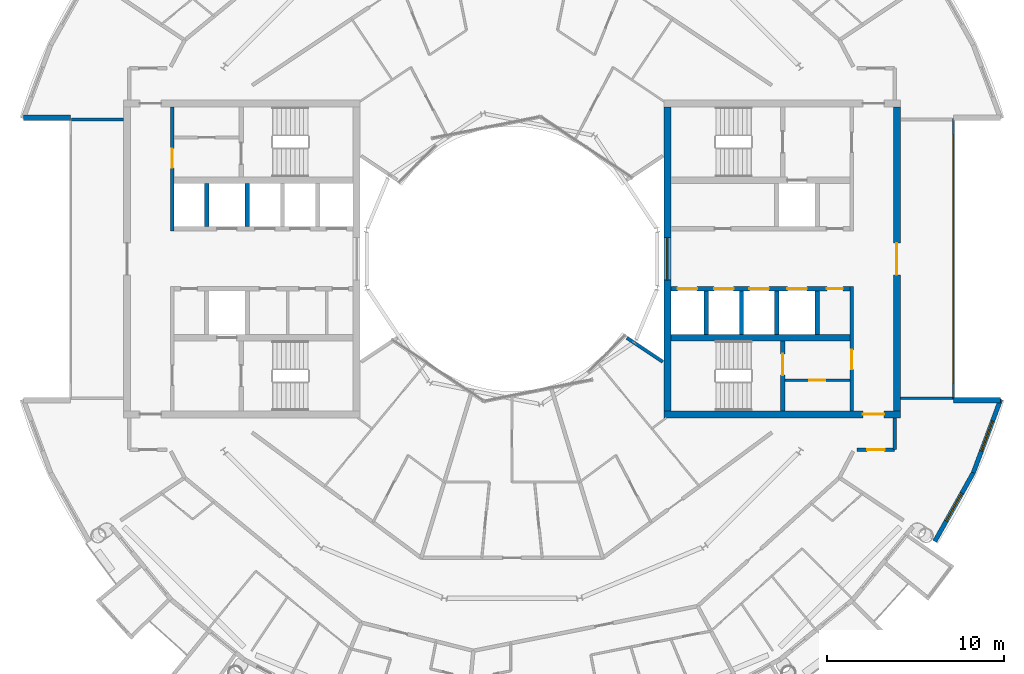
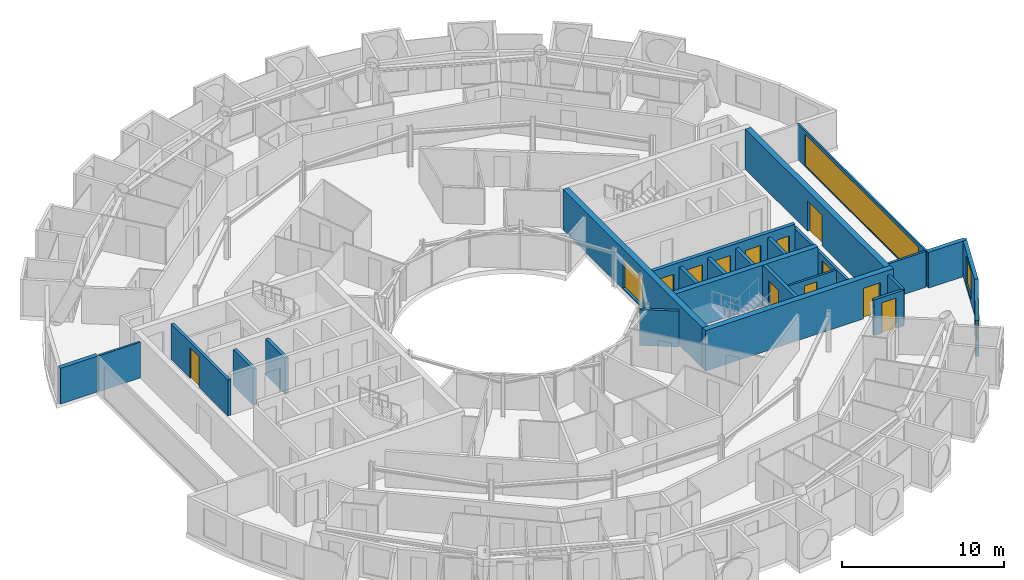
# One storey, part 19 of 28: 25 walls, 12 doors, 4 windows, 16 openings.
"""IFC4 building model written with IfcOpenShell, lengths in metres."""

from ifc_helpers import new_model, si_unit, direction, frame, frame_2d, origin, place, context, subcontext, project, spatial, rectangle, extrude, material, layer, layer_set, type_object, element, fill, save


model = new_model("IFC4")

# Units and contexts
model_context = context("Model", 3, precision=1e-05, world=origin(), true_north=direction((0.0, 1.0)))
body_context = subcontext(model_context, "Body", "Model", "MODEL_VIEW")
ifc_project = project(units=[si_unit("LENGTHUNIT", "METRE"), si_unit("AREAUNIT", "SQUARE_METRE"), si_unit("VOLUMEUNIT", "CUBIC_METRE"), si_unit("PLANEANGLEUNIT", "RADIAN"), si_unit("MASSUNIT", "GRAM", prefix="KILO")], contexts=[model_context])

# Site, building, storey
site_placement = place(None, origin())
site = spatial("IfcSite", under=ifc_project, at=site_placement, CompositionType="ELEMENT")
building_placement = place(site_placement, origin())
building = spatial("IfcBuilding", under=site, at=building_placement, Name="Maasbend Ring Residences", CompositionType="ELEMENT")
storey_placement = place(building_placement, frame((0.0, 0.0, 231.0)))
storey = spatial("IfcBuildingStorey", under=building, at=storey_placement, Name="L66", CompositionType="ELEMENT", Elevation=231.0)

# Wall, openings, doors
ifc_material_1 = material(Name="Concrete C50/60", Category="concrete")
ifc_layer_1 = layer(ifc_material_1, 0.25)
ifc_layer_set_1 = layer_set([ifc_layer_1], Name="Concrete C50/60")
wall_type_1 = type_object("IfcWallType", Name="CORE WALL 250 C50/60", PredefinedType="SHEAR", material=ifc_layer_set_1)
wall_1_placement = place(storey_placement, frame((19.14990234375, -1.699951171875, 0.0), z_axis=(0.0, 0.0, 1.0), x_axis=(-1.0, 0.0, 0.0)))
wall_1 = element("IfcWall", 1, at=wall_1_placement, inside=storey, type_object=wall_type_1, Name="L66 core E wall SPS", PredefinedType="SHEAR", context=body_context, shape_type="SweptSolid", body=[
    extrude(rectangle(XDim=10.14990234375, YDim=0.25, at=frame_2d((5.074951171875, 0.0))), origin(), (0.0, 0.0, 1.0), 3.050048828125),
])
opening_1_placement = place(wall_1_placement, frame((8.66259765625, 0.0, 0.0)))
opening_1 = element("IfcOpeningElement", 2, at=opening_1_placement, cuts=wall_1, Name="Opening LD-E6602", PredefinedType="OPENING", context=body_context, shape_type="SweptSolid", body=[
    extrude(rectangle(XDim=1.10009765625, YDim=2.300048828125, at=frame_2d((0.550048828125, 1.14990234375))), frame((0.0, 0.135009765625, 0.0), z_axis=(0.0, -1.0, 0.0), x_axis=(1.0, 0.0, 0.0)), (0.0, 0.0, 1.0), 0.27001953125),
])
opening_2_placement = place(wall_1_placement, frame((6.60009765625, 0.0, 0.0)))
opening_2 = element("IfcOpeningElement", 3, at=opening_2_placement, cuts=wall_1, Name="Opening LD-E6603", PredefinedType="OPENING", context=body_context, shape_type="SweptSolid", body=[
    extrude(rectangle(XDim=1.10009765625, YDim=2.300048828125, at=frame_2d((0.550048828125, 1.14990234375))), frame((0.0, 0.135009765625, 0.0), z_axis=(0.0, -1.0, 0.0), x_axis=(1.0, 0.0, 0.0)), (0.0, 0.0, 1.0), 0.27001953125),
])
opening_3_placement = place(wall_1_placement, frame((4.60009765625, 0.0, 0.0)))
opening_3 = element("IfcOpeningElement", 4, at=opening_3_placement, cuts=wall_1, Name="Opening LD-E6604", PredefinedType="OPENING", context=body_context, shape_type="SweptSolid", body=[
    extrude(rectangle(XDim=1.10009765625, YDim=2.300048828125, at=frame_2d((0.550048828125, 1.14990234375))), frame((0.0, 0.135009765625, 0.0), z_axis=(0.0, -1.0, 0.0), x_axis=(1.0, 0.0, 0.0)), (0.0, 0.0, 1.0), 0.27001953125),
])
opening_4_placement = place(wall_1_placement, frame((2.449951171875, 0.0, 0.0)))
opening_4 = element("IfcOpeningElement", 5, at=opening_4_placement, cuts=wall_1, Name="Opening LD-E6605", PredefinedType="OPENING", context=body_context, shape_type="SweptSolid", body=[
    extrude(rectangle(XDim=1.10009765625, YDim=2.300048828125, at=frame_2d((0.550048828125, 1.14990234375))), frame((0.0, 0.135009765625, 0.0), z_axis=(0.0, -1.0, 0.0), x_axis=(1.0, 0.0, 0.0)), (0.0, 0.0, 1.0), 0.27001953125),
])
opening_5_placement = place(wall_1_placement, frame((0.41259765625, 0.0, 0.0)))
opening_5 = element("IfcOpeningElement", 6, at=opening_5_placement, cuts=wall_1, Name="Opening D-E6608", PredefinedType="OPENING", context=body_context, shape_type="SweptSolid", body=[
    extrude(rectangle(XDim=0.89990234375, YDim=2.300048828125, at=frame_2d((0.449951171875, 1.14990234375))), frame((0.0, 0.135009765625, 0.0), z_axis=(0.0, -1.0, 0.0), x_axis=(1.0, 0.0, 0.0)), (0.0, 0.0, 1.0), 0.27001953125),
])
ifc_material_2 = material(Name="Stainless steel 316", Category="steel")
door_type_1 = type_object("IfcDoorType", Name="LANDING DOOR 1100 X 2300 FD60", OperationType="DOUBLE_DOOR_SLIDING", PredefinedType="DOOR", material=ifc_material_2)
door_1_placement = place(opening_1_placement, origin())
door_1 = element("IfcDoor", 7, at=door_1_placement, inside=storey, type_object=door_type_1, Name="Landing door HR-E1 L66", OperationType="DOUBLE_DOOR_SLIDING", OverallHeight=2.300048828125, OverallWidth=1.10009765625, PredefinedType="DOOR", context=body_context, shape_type="SweptSolid", body=[
    extrude(rectangle(XDim=1.10009765625, YDim=2.300048828125, at=frame_2d((0.550048828125, 1.14990234375))), frame((0.0, 0.02490234375, 0.0), z_axis=(0.0, -1.0, 0.0), x_axis=(1.0, 0.0, 0.0)), (0.0, 0.0, 1.0), 0.050048828125),
])
fill(opening_1, door_1)
door_2_placement = place(opening_2_placement, origin())
door_2 = element("IfcDoor", 8, at=door_2_placement, inside=storey, type_object=door_type_1, Name="Landing door HR-E2 L66", OperationType="DOUBLE_DOOR_SLIDING", OverallHeight=2.300048828125, OverallWidth=1.10009765625, PredefinedType="DOOR", context=body_context, shape_type="SweptSolid", body=[
    extrude(rectangle(XDim=1.10009765625, YDim=2.300048828125, at=frame_2d((0.550048828125, 1.14990234375))), frame((0.0, 0.02490234375, 0.0), z_axis=(0.0, -1.0, 0.0), x_axis=(1.0, 0.0, 0.0)), (0.0, 0.0, 1.0), 0.050048828125),
])
fill(opening_2, door_2)
door_3_placement = place(opening_3_placement, origin())
door_3 = element("IfcDoor", 9, at=door_3_placement, inside=storey, type_object=door_type_1, Name="Landing door HR-E3 L66", OperationType="DOUBLE_DOOR_SLIDING", OverallHeight=2.300048828125, OverallWidth=1.10009765625, PredefinedType="DOOR", context=body_context, shape_type="SweptSolid", body=[
    extrude(rectangle(XDim=1.10009765625, YDim=2.300048828125, at=frame_2d((0.550048828125, 1.14990234375))), frame((0.0, 0.02490234375, 0.0), z_axis=(0.0, -1.0, 0.0), x_axis=(1.0, 0.0, 0.0)), (0.0, 0.0, 1.0), 0.050048828125),
])
fill(opening_3, door_3)
door_4_placement = place(opening_4_placement, origin())
door_4 = element("IfcDoor", 10, at=door_4_placement, inside=storey, type_object=door_type_1, Name="Landing door SV-E L66", OperationType="DOUBLE_DOOR_SLIDING", OverallHeight=2.300048828125, OverallWidth=1.10009765625, PredefinedType="DOOR", context=body_context, shape_type="SweptSolid", body=[
    extrude(rectangle(XDim=1.10009765625, YDim=2.300048828125, at=frame_2d((0.550048828125, 1.14990234375))), frame((0.0, 0.02490234375, 0.0), z_axis=(0.0, -1.0, 0.0), x_axis=(1.0, 0.0, 0.0)), (0.0, 0.0, 1.0), 0.050048828125),
])
fill(opening_4, door_4)
ifc_material_3 = material(Name="Steel, powder coated", Category="steel")
door_type_2 = type_object("IfcDoorType", Name="ROOM DOOR 900 X 2300 FD30S", OperationType="NOTDEFINED", PredefinedType="DOOR", material=ifc_material_3)
door_5_placement = place(opening_5_placement, origin())
door_5 = element("IfcDoor", 11, at=door_5_placement, inside=storey, type_object=door_type_2, Name="Room door L66", OperationType="SINGLE_SWING_RIGHT", OverallHeight=2.300048828125, OverallWidth=0.89990234375, PredefinedType="DOOR", context=body_context, shape_type="SweptSolid", body=[
    extrude(rectangle(XDim=0.89990234375, YDim=2.300048828125, at=frame_2d((0.449951171875, 1.14990234375))), frame((0.0, 0.02490234375, 0.0), z_axis=(0.0, -1.0, 0.0), x_axis=(1.0, 0.0, 0.0)), (0.0, 0.0, 1.0), 0.050048828125),
])
fill(opening_5, door_5)

# Wall, opening, door
wall_2_placement = place(storey_placement, frame((15.324951171875, -8.60009765625, 0.0), z_axis=(0.0, 0.0, 1.0), x_axis=(0.0, 1.0, 0.0)))
wall_2 = element("IfcWall", 12, at=wall_2_placement, inside=storey, type_object=wall_type_1, Name="L66 core E wall STES", PredefinedType="SHEAR", context=body_context, shape_type="SweptSolid", body=[
    extrude(rectangle(XDim=3.9501953125, YDim=0.25, at=frame_2d((1.97509765625, 0.0))), origin(), (0.0, 0.0, 1.0), 3.050048828125),
])
opening_6_placement = place(wall_2_placement, frame((2.02490234375, 0.0, 0.0)))
opening_6 = element("IfcOpeningElement", 13, at=opening_6_placement, cuts=wall_2, Name="Opening D-E6611", PredefinedType="OPENING", context=body_context, shape_type="SweptSolid", body=[
    extrude(rectangle(XDim=1.199951171875, YDim=2.300048828125, at=frame_2d((0.60009765625, 1.14990234375))), frame((0.0, 0.135009765625, 0.0), z_axis=(0.0, -1.0, 0.0), x_axis=(1.0, 0.0, 0.0)), (0.0, 0.0, 1.0), 0.27001953125),
])
ifc_material_4 = material(Name="Steel, powder coated", Category="steel")
door_type_3 = type_object("IfcDoorType", Name="STAIR DOOR 1200 X 2300 FD60", OperationType="NOTDEFINED", PredefinedType="DOOR", material=ifc_material_4)
door_6_placement = place(opening_6_placement, origin())
door_6 = element("IfcDoor", 14, at=door_6_placement, inside=storey, type_object=door_type_3, Name="Stair door ST-E L66", OperationType="SINGLE_SWING_LEFT", OverallHeight=2.300048828125, OverallWidth=1.199951171875, PredefinedType="DOOR", context=body_context, shape_type="SweptSolid", body=[
    extrude(rectangle(XDim=1.199951171875, YDim=2.300048828125, at=frame_2d((0.60009765625, 1.14990234375))), frame((0.0, 0.02490234375, 0.0), z_axis=(0.0, -1.0, 0.0), x_axis=(1.0, 0.0, 0.0)), (0.0, 0.0, 1.0), 0.050048828125),
])
fill(opening_6, door_6)

# Wall
ifc_material_5 = material(Name="Concrete C50/60", Category="concrete")
ifc_layer_2 = layer(ifc_material_5, 0.375)
ifc_layer_set_2 = layer_set([ifc_layer_2], Name="Concrete C50/60")
wall_type_2 = type_object("IfcWallType", Name="CORE WALL 375 C50/60", PredefinedType="SHEAR", material=ifc_layer_set_2)
wall_3_placement = place(storey_placement, frame((9.0, -4.46240234375, 0.0), z_axis=(0.0, 0.0, 1.0), x_axis=(1.0, 0.0, 0.0)))
element("IfcWall", 15, at=wall_3_placement, inside=storey, type_object=wall_type_2, Name="L66 core E wall BS", PredefinedType="SHEAR", context=body_context, shape_type="SweptSolid", body=[
    extrude(rectangle(XDim=10.14990234375, YDim=0.375, at=frame_2d((5.074951171875, 0.0))), origin(), (0.0, 0.0, 1.0), 3.050048828125),
])

# Wall, opening, door
ifc_material_6 = material(Name="Concrete C50/60", Category="concrete")
ifc_layer_3 = layer(ifc_material_6, 0.39990234375)
ifc_layer_set_3 = layer_set([ifc_layer_3], Name="Concrete C50/60")
wall_type_3 = type_object("IfcWallType", Name="CORE WALL 400 C50/60", PredefinedType="SHEAR", material=ifc_layer_set_3)
wall_4_placement = place(storey_placement, frame((8.60009765625, -8.800048828125, 0.0), z_axis=(0.0, 0.0, 1.0), x_axis=(1.0, 0.0, 0.0)))
wall_4 = element("IfcWall", 16, at=wall_4_placement, inside=storey, type_object=wall_type_3, Name="L66 core E wall PS", PredefinedType="SHEAR", context=body_context, shape_type="SweptSolid", body=[
    extrude(rectangle(XDim=13.39990234375, YDim=0.39990234375, at=frame_2d((6.699951171875, 0.0))), origin(), (0.0, 0.0, 1.0), 3.050048828125),
])
opening_7_placement = place(wall_4_placement, frame((11.27490234375, 0.0, 0.0)))
opening_7 = element("IfcOpeningElement", 17, at=opening_7_placement, cuts=wall_4, Name="Opening D-E6615", PredefinedType="OPENING", context=body_context, shape_type="SweptSolid", body=[
    extrude(rectangle(XDim=1.199951171875, YDim=2.300048828125, at=frame_2d((0.60009765625, 1.14990234375))), frame((0.0, 0.2099609375, 0.0), z_axis=(0.0, -1.0, 0.0), x_axis=(1.0, 0.0, 0.0)), (0.0, 0.0, 1.0), 0.419921875),
])
ifc_material_7 = material(Name="Steel, powder coated", Category="steel")
door_type_4 = type_object("IfcDoorType", Name="CORRIDOR DOOR 1200 X 2300 FD30S", OperationType="NOTDEFINED", PredefinedType="DOOR", material=ifc_material_7)
door_7_placement = place(opening_7_placement, origin())
door_7 = element("IfcDoor", 18, at=door_7_placement, inside=storey, type_object=door_type_4, Name="Corridor door L66", OperationType="SINGLE_SWING_LEFT", OverallHeight=2.300048828125, OverallWidth=1.199951171875, PredefinedType="DOOR", context=body_context, shape_type="SweptSolid", body=[
    extrude(rectangle(XDim=1.199951171875, YDim=2.300048828125, at=frame_2d((0.60009765625, 1.14990234375))), frame((0.0, 0.02490234375, 0.0), z_axis=(0.0, -1.0, 0.0), x_axis=(1.0, 0.0, 0.0)), (0.0, 0.0, 1.0), 0.050048828125),
])
fill(opening_7, door_7)

wall_5_placement = place(storey_placement, frame((21.800048828125, 8.60009765625, 0.0), z_axis=(0.0, 0.0, 1.0), x_axis=(0.0, -1.0, 0.0)))
wall_5 = element("IfcWall", 19, at=wall_5_placement, inside=storey, type_object=wall_type_3, Name="L66 core E wall POUT", PredefinedType="SHEAR", context=body_context, shape_type="SweptSolid", body=[
    extrude(rectangle(XDim=17.2001953125, YDim=0.39990234375, at=frame_2d((8.60009765625, 0.0))), origin(), (0.0, 0.0, 1.0), 3.050048828125),
])
opening_8_placement = place(wall_5_placement, frame((7.699951171875, 0.0, 0.0)))
opening_8 = element("IfcOpeningElement", 20, at=opening_8_placement, cuts=wall_5, Name="Opening D-E6616", PredefinedType="OPENING", context=body_context, shape_type="SweptSolid", body=[
    extrude(rectangle(XDim=1.800048828125, YDim=2.300048828125, at=frame_2d((0.89990234375, 1.14990234375))), frame((0.0, 0.2099609375, 0.0), z_axis=(0.0, -1.0, 0.0), x_axis=(1.0, 0.0, 0.0)), (0.0, 0.0, 1.0), 0.419921875),
])
ifc_material_8 = material(Name="Aluminium frame, clear glass", Category="aluminium")
door_type_5 = type_object("IfcDoorType", Name="ENTRANCE DOOR 1800 X 2300 FD60", OperationType="NOTDEFINED", PredefinedType="DOOR", material=ifc_material_8)
door_8_placement = place(opening_8_placement, origin())
door_8 = element("IfcDoor", 21, at=door_8_placement, inside=storey, type_object=door_type_5, Name="Lobby glazed door L66", OperationType="SINGLE_SWING_LEFT", OverallHeight=2.300048828125, OverallWidth=1.800048828125, PredefinedType="DOOR", context=body_context, shape_type="SweptSolid", body=[
    extrude(rectangle(XDim=1.800048828125, YDim=2.300048828125, at=frame_2d((0.89990234375, 1.14990234375))), frame((0.0, 0.02490234375, 0.0), z_axis=(0.0, -1.0, 0.0), x_axis=(1.0, 0.0, 0.0)), (0.0, 0.0, 1.0), 0.050048828125),
])
fill(opening_8, door_8)

# Wall, opening, window
wall_6_placement = place(storey_placement, frame((8.800048828125, -8.60009765625, 0.0), z_axis=(0.0, 0.0, 1.0), x_axis=(0.0, 1.0, 0.0)))
wall_6 = element("IfcWall", 22, at=wall_6_placement, inside=storey, type_object=wall_type_3, Name="L66 core E wall PIN", PredefinedType="SHEAR", context=body_context, shape_type="SweptSolid", body=[
    extrude(rectangle(XDim=17.2001953125, YDim=0.39990234375, at=frame_2d((8.60009765625, 0.0))), origin(), (0.0, 0.0, 1.0), 3.050048828125),
])
opening_9_placement = place(wall_6_placement, frame((7.39990234375, 0.0, 0.10009765625)))
opening_9 = element("IfcOpeningElement", 23, at=opening_9_placement, cuts=wall_6, Name="Opening W-E6601", PredefinedType="OPENING", context=body_context, shape_type="SweptSolid", body=[
    extrude(rectangle(XDim=2.39990234375, YDim=2.199951171875, at=frame_2d((1.199951171875, 1.10009765625))), frame((0.0, 0.2099609375, 0.0), z_axis=(0.0, -1.0, 0.0), x_axis=(1.0, 0.0, 0.0)), (0.0, 0.0, 1.0), 0.419921875),
])
ifc_material_9 = material(Name="Aluminium frame and clear glass", Category="aluminium")
window_type_1 = type_object("IfcWindowType", Name="FIXED WINDOW 2400 X 2200", PartitioningType="SINGLE_PANEL", PredefinedType="WINDOW", material=ifc_material_9)
window_1_placement = place(opening_9_placement, origin())
window_1 = element("IfcWindow", 24, at=window_1_placement, inside=storey, type_object=window_type_1, Name="Lobby window L66", OverallHeight=2.199951171875, OverallWidth=2.39990234375, PartitioningType="SINGLE_PANEL", PredefinedType="WINDOW", context=body_context, shape_type="SweptSolid", body=[
    extrude(rectangle(XDim=2.39990234375, YDim=2.199951171875, at=frame_2d((1.199951171875, 1.10009765625))), frame((0.0, 0.030029296875, 0.0), z_axis=(0.0, -1.0, 0.0), x_axis=(1.0, 0.0, 0.0)), (0.0, 0.0, 1.0), 0.06005859375),
])
fill(opening_9, window_1)

# Wall
ifc_material_10 = material(Name="Concrete C30/37", Category="concrete")
ifc_layer_4 = layer(ifc_material_10, 0.199951171875)
ifc_layer_set_4 = layer_set([ifc_layer_4], Name="Concrete C30/37")
wall_type_4 = type_object("IfcWallType", Name="CORRIDOR WALL 200 CONCRETE", PredefinedType="PARTITIONING", material=ifc_layer_set_4)
wall_7_placement = place(storey_placement, frame((21.675048828125, -10.800048828125, 0.0), z_axis=(0.0, 0.0, 1.0), x_axis=(0.0, 1.0, 0.0)))
element("IfcWall", 25, at=wall_7_placement, inside=storey, type_object=wall_type_4, Name="U-L66-w012", PredefinedType="PARTITIONING", context=body_context, shape_type="SweptSolid", body=[
    extrude(rectangle(XDim=1.800048828125, YDim=0.199951171875, at=frame_2d((0.89990234375, 0.0))), origin(), (0.0, 0.0, 1.0), 2.699951171875),
])

# Wall, opening, door
wall_8_placement = place(storey_placement, frame((19.54296875, -10.800048828125, 0.0), z_axis=(0.0, 0.0, 1.0), x_axis=(1.0, 0.0, 0.0)))
wall_8 = element("IfcWall", 26, at=wall_8_placement, inside=storey, type_object=wall_type_4, Name="U-L66-w027", PredefinedType="PARTITIONING", context=body_context, shape_type="SweptSolid", body=[
    extrude(rectangle(XDim=2.132080078125, YDim=0.199951171875, at=frame_2d((1.06591796875, 0.0))), origin(), (0.0, 0.0, 1.0), 2.699951171875),
])
opening_10_placement = place(wall_8_placement, frame((0.56591796875, 0.0, 0.0)))
opening_10 = element("IfcOpeningElement", 27, at=opening_10_placement, cuts=wall_8, Name="Opening D-6659", PredefinedType="OPENING", context=body_context, shape_type="SweptSolid", body=[
    extrude(rectangle(XDim=1.0, YDim=2.300048828125, at=frame_2d((0.5, 1.14990234375))), frame((0.0, 0.10986328125, 0.0), z_axis=(0.0, -1.0, 0.0), x_axis=(1.0, 0.0, 0.0)), (0.0, 0.0, 1.0), 0.219970703125),
])
ifc_material_11 = material(Name="Timber, painted", Category="wood")
door_type_6 = type_object("IfcDoorType", Name="ROOM DOOR 1000 X 2300", OperationType="NOTDEFINED", PredefinedType="DOOR", material=ifc_material_11)
door_9_placement = place(opening_10_placement, origin())
door_9 = element("IfcDoor", 28, at=door_9_placement, inside=storey, type_object=door_type_6, Name="D-6659", OperationType="SINGLE_SWING_RIGHT", OverallHeight=2.300048828125, OverallWidth=1.0, PredefinedType="DOOR", context=body_context, shape_type="SweptSolid", body=[
    extrude(rectangle(XDim=1.0, YDim=2.300048828125, at=frame_2d((0.5, 1.14990234375))), frame((0.0, 0.02490234375, 0.0), z_axis=(0.0, -1.0, 0.0), x_axis=(1.0, 0.0, 0.0)), (0.0, 0.0, 1.0), 0.050048828125),
])
fill(opening_10, door_9)

# Wall, opening, window
ifc_material_12 = material(Name="Aluminium clad insulated panel", Category="aluminium")
ifc_layer_5 = layer(ifc_material_12, 0.25)
ifc_layer_set_5 = layer_set([ifc_layer_5], Name="EW-HORN")
wall_type_5 = type_object("IfcWallType", Name="EW-HORN", PredefinedType="SOLIDWALL", material=ifc_layer_set_5)
wall_9_placement = place(storey_placement, frame((23.946044921875, -16.0, 0.0), z_axis=(0.0, 0.0, 1.0), x_axis=(0.489696356642, 0.871893042919, 0.0)))
wall_9 = element("IfcWall", 29, at=wall_9_placement, inside=storey, type_object=wall_type_5, Name="Horn wall 2.1", PredefinedType="SOLIDWALL", context=body_context, shape_type="SweptSolid", body=[
    extrude(rectangle(XDim=4.45361328125, YDim=0.25, at=frame_2d((2.226806640625, 0.0))), origin(), (0.0, 0.0, 1.0), 2.699951171875),
])
opening_11_placement = place(wall_9_placement, frame((1.32666015625, 0.0, 0.300048828125)))
opening_11 = element("IfcOpeningElement", 30, at=opening_11_placement, cuts=wall_9, Name="Opening W-BX", PredefinedType="OPENING", context=body_context, shape_type="SweptSolid", body=[
    extrude(rectangle(XDim=1.800048828125, YDim=2.10009765625, at=frame_2d((0.89990234375, 1.050048828125))), frame((0.0, 0.135009765625, 0.0), z_axis=(0.0, -1.0, 0.0), x_axis=(1.0, 0.0, 0.0)), (0.0, 0.0, 1.0), 0.27001953125),
])
ifc_material_13 = material(Name="Aluminium and clear glass", Category="aluminium")
window_type_2 = type_object("IfcWindowType", Name="W-BX", PartitioningType="DOUBLE_PANEL_VERTICAL", PredefinedType="WINDOW", material=ifc_material_13)
window_2_placement = place(opening_11_placement, origin())
window_2 = element("IfcWindow", 31, at=window_2_placement, inside=storey, type_object=window_type_2, Name="Horn window 2.1", OverallHeight=2.10009765625, OverallWidth=1.800048828125, PartitioningType="SINGLE_PANEL", PredefinedType="WINDOW", context=body_context, shape_type="SweptSolid", body=[
    extrude(rectangle(XDim=1.800048828125, YDim=2.10009765625, at=frame_2d((0.89990234375, 1.050048828125))), frame((0.0, 0.030029296875, 0.0), z_axis=(0.0, -1.0, 0.0), x_axis=(1.0, 0.0, 0.0)), (0.0, 0.0, 1.0), 0.06005859375),
])
fill(opening_11, window_2)

wall_10_placement = place(storey_placement, frame((26.126953125, -12.116943359375, 0.0), z_axis=(0.0, 0.0, 1.0), x_axis=(0.349247811493, 0.937030397675, 0.0)))
wall_10 = element("IfcWall", 32, at=wall_10_placement, inside=storey, type_object=wall_type_5, Name="Horn wall 2.2", PredefinedType="SOLIDWALL", context=body_context, shape_type="SweptSolid", body=[
    extrude(rectangle(XDim=4.4521484375, YDim=0.25, at=frame_2d((2.22607421875, 0.0))), origin(), (0.0, 0.0, 1.0), 2.699951171875),
])
opening_12_placement = place(wall_10_placement, frame((1.32666015625, 0.0, 0.300048828125)))
opening_12 = element("IfcOpeningElement", 33, at=opening_12_placement, cuts=wall_10, Name="Opening W-BX", PredefinedType="OPENING", context=body_context, shape_type="SweptSolid", body=[
    extrude(rectangle(XDim=1.800048828125, YDim=2.10009765625, at=frame_2d((0.89990234375, 1.050048828125))), frame((0.0, 0.135009765625, 0.0), z_axis=(0.0, -1.0, 0.0), x_axis=(1.0, 0.0, 0.0)), (0.0, 0.0, 1.0), 0.27001953125),
])
window_3_placement = place(opening_12_placement, origin())
window_3 = element("IfcWindow", 34, at=window_3_placement, inside=storey, type_object=window_type_2, Name="Horn window 2.2", OverallHeight=2.10009765625, OverallWidth=1.800048828125, PartitioningType="SINGLE_PANEL", PredefinedType="WINDOW", context=body_context, shape_type="SweptSolid", body=[
    extrude(rectangle(XDim=1.800048828125, YDim=2.10009765625, at=frame_2d((0.89990234375, 1.050048828125))), frame((0.0, 0.030029296875, 0.0), z_axis=(0.0, -1.0, 0.0), x_axis=(1.0, 0.0, 0.0)), (0.0, 0.0, 1.0), 0.06005859375),
])
fill(opening_12, window_3)

# Walls
ifc_material_14 = material(Name="Aluminium clad insulated panel", Category="aluminium")
ifc_layer_6 = layer(ifc_material_14, 0.300048828125)
ifc_layer_set_6 = layer_set([ifc_layer_6], Name="EW-RET")
wall_type_6 = type_object("IfcWallType", Name="EW-RET", PredefinedType="SOLIDWALL", material=ifc_layer_set_6)
for number, where, z_axis, x_axis, name in (
    (35, (25.0, -8.0, 0.0), (0.0, 0.0, 1.0), (1.0, 0.0, 0.0), "Notch return wall east south"),
    (36, (-25.0, 8.0, 0.0), (0.0, 0.0, 1.0), (-1.0, 0.0, 0.0), "Notch return wall west north"),
):
    element("IfcWall", number, at=place(storey_placement, frame(where, z_axis=z_axis, x_axis=x_axis)), inside=storey, type_object=wall_type_6, Name=name, PredefinedType="SOLIDWALL", context=body_context, shape_type="SweptSolid", body=[
        extrude(rectangle(XDim=2.6669921875, YDim=0.300048828125, at=frame_2d((1.33349609375, 0.0))), origin(), (0.0, 0.0, 1.0), 2.699951171875),
    ])

# Wall, opening, window
ifc_material_15 = material(Name="Aluminium frame and clear glass", Category="aluminium")
ifc_layer_7 = layer(ifc_material_15, 0.1201171875)
ifc_layer_set_7 = layer_set([ifc_layer_7], Name="GLAZED SCREEN WALL 120 EI 60")
wall_type_7 = type_object("IfcWallType", Name="GLAZED SCREEN WALL 120 EI 60", PredefinedType="PARTITIONING", material=ifc_layer_set_7)
wall_11_placement = place(storey_placement, frame((25.0, -7.949951171875, 0.0), z_axis=(0.0, 0.0, 1.0), x_axis=(0.0, 1.0, 0.0)))
wall_11 = element("IfcWall", 37, at=wall_11_placement, inside=storey, type_object=wall_type_7, Name="L66 core E wall FACE", PredefinedType="PARTITIONING", context=body_context, shape_type="SweptSolid", body=[
    extrude(rectangle(XDim=15.89990234375, YDim=0.1201171875, at=frame_2d((7.949951171875, 0.0))), origin(), (0.0, 0.0, 1.0), 2.699951171875),
])
opening_13_placement = place(wall_11_placement, frame((0.949951171875, 0.0, 0.10009765625)))
opening_13 = element("IfcOpeningElement", 38, at=opening_13_placement, cuts=wall_11, Name="Opening W-E6602", PredefinedType="OPENING", context=body_context, shape_type="SweptSolid", body=[
    extrude(rectangle(XDim=14.0, YDim=2.35009765625, at=frame_2d((7.0, 1.175048828125))), frame((0.0, 0.070068359375, 0.0), z_axis=(0.0, -1.0, 0.0), x_axis=(1.0, 0.0, 0.0)), (0.0, 0.0, 1.0), 0.14013671875),
])
ifc_material_16 = material(Name="Aluminium frame and clear glass", Category="aluminium")
window_type_3 = type_object("IfcWindowType", Name="FIXED WINDOW 14000 X 2350", PartitioningType="SINGLE_PANEL", PredefinedType="WINDOW", material=ifc_material_16)
window_4_placement = place(opening_13_placement, origin())
window_4 = element("IfcWindow", 39, at=window_4_placement, inside=storey, type_object=window_type_3, Name="Lobby window L66", OverallHeight=2.35009765625, OverallWidth=14.0, PartitioningType="SINGLE_PANEL", PredefinedType="WINDOW", context=body_context, shape_type="SweptSolid", body=[
    extrude(rectangle(XDim=14.0, YDim=2.35009765625, at=frame_2d((7.0, 1.175048828125))), frame((0.0, 0.030029296875, 0.0), z_axis=(0.0, -1.0, 0.0), x_axis=(1.0, 0.0, 0.0)), (0.0, 0.0, 1.0), 0.06005859375),
])
fill(opening_13, window_4)

# Wall, opening, door
ifc_material_17 = material(Name="Gypsum board on steel studs", Category="steel")
ifc_layer_8 = layer(ifc_material_17, 0.14990234375)
ifc_layer_set_8 = layer_set([ifc_layer_8], Name="PARTITION 150 EI 60")
wall_type_8 = type_object("IfcWallType", Name="PARTITION 150 EI 60", PredefinedType="PARTITIONING", material=ifc_layer_set_8)
wall_12_placement = place(storey_placement, frame((15.449951171875, -6.875, 0.0), z_axis=(0.0, 0.0, 1.0), x_axis=(1.0, 0.0, 0.0)))
wall_12 = element("IfcWall", 40, at=wall_12_placement, inside=storey, type_object=wall_type_8, Name="L66 core E wall RHS", PredefinedType="PARTITIONING", context=body_context, shape_type="SweptSolid", body=[
    extrude(rectangle(XDim=3.699951171875, YDim=0.14990234375, at=frame_2d((1.85009765625, 0.0))), origin(), (0.0, 0.0, 1.0), 2.699951171875),
])
opening_14_placement = place(wall_12_placement, frame((1.39990234375, 0.0, 0.0)))
opening_14 = element("IfcOpeningElement", 41, at=opening_14_placement, cuts=wall_12, Name="Opening D-E6609", PredefinedType="OPENING", context=body_context, shape_type="SweptSolid", body=[
    extrude(rectangle(XDim=0.89990234375, YDim=2.300048828125, at=frame_2d((0.449951171875, 1.14990234375))), frame((0.0, 0.0849609375, 0.0), z_axis=(0.0, -1.0, 0.0), x_axis=(1.0, 0.0, 0.0)), (0.0, 0.0, 1.0), 0.169921875),
])
ifc_material_18 = material(Name="Steel, powder coated", Category="steel")
door_type_7 = type_object("IfcDoorType", Name="RISER DOOR 900 X 2300 FD60", OperationType="NOTDEFINED", PredefinedType="DOOR", material=ifc_material_18)
door_10_placement = place(opening_14_placement, origin())
door_10 = element("IfcDoor", 42, at=door_10_placement, inside=storey, type_object=door_type_7, Name="Riser door L66", OperationType="SINGLE_SWING_LEFT", OverallHeight=2.300048828125, OverallWidth=0.89990234375, PredefinedType="DOOR", context=body_context, shape_type="SweptSolid", body=[
    extrude(rectangle(XDim=0.89990234375, YDim=2.300048828125, at=frame_2d((0.449951171875, 1.14990234375))), frame((0.0, 0.02490234375, 0.0), z_axis=(0.0, -1.0, 0.0), x_axis=(1.0, 0.0, 0.0)), (0.0, 0.0, 1.0), 0.050048828125),
])
fill(opening_14, door_10)

# Walls
for number, where, z_axis, x_axis, name in (
    (43, (22.0, -7.89990234375, 0.0), (0.0, 0.0, 1.0), (1.0, 0.0, 0.0), "L66 core E wall CITS"),
    (44, (-22.0, 7.89990234375, 0.0), (0.0, 0.0, 1.0), (-1.0, 0.0, 0.0), "L66 core W wall CITS"),
):
    element("IfcWall", number, at=place(storey_placement, frame(where, z_axis=z_axis, x_axis=x_axis)), inside=storey, type_object=wall_type_8, Name=name, PredefinedType="PARTITIONING", context=body_context, shape_type="SweptSolid", body=[
        extrude(rectangle(XDim=2.93994140625, YDim=0.14990234375, at=frame_2d((1.469970703125, 0.0))), origin(), (0.0, 0.0, 1.0), 2.699951171875),
    ])
ifc_material_19 = material(Name="Concrete C30/37", Category="concrete")
ifc_layer_9 = layer(ifc_material_19, 0.199951171875)
ifc_layer_set_9 = layer_set([ifc_layer_9], Name="Concrete C30/37")
wall_type_9 = type_object("IfcWallType", Name="PARTY WALL 200 CONCRETE", PredefinedType="PARTITIONING", material=ifc_layer_set_9)
wall_13_placement = place(storey_placement, frame((6.512939453125, -4.471923828125, 0.0), z_axis=(0.0, 0.0, 1.0), x_axis=(0.831450132577, -0.555599385382, 0.0)))
element("IfcWall", 45, at=wall_13_placement, inside=storey, type_object=wall_type_9, Name="U-L66-w029", PredefinedType="PARTITIONING", context=body_context, shape_type="SweptSolid", body=[
    extrude(rectangle(XDim=2.442626953125, YDim=0.199951171875, at=frame_2d((1.22119140625, 0.0))), origin(), (0.0, 0.0, 1.0), 2.699951171875),
])

# Wall, opening, door
ifc_material_20 = material(Name="Concrete C30/37", Category="concrete")
ifc_layer_10 = layer(ifc_material_20, 0.199951171875)
ifc_layer_set_10 = layer_set([ifc_layer_10], Name="Concrete C30/37")
wall_type_10 = type_object("IfcWallType", Name="SHAFT WALL 200 EI 120", PredefinedType="SOLIDWALL", material=ifc_layer_set_10)
wall_14_placement = place(storey_placement, frame((19.25, -8.60009765625, 0.0), z_axis=(0.0, 0.0, 1.0), x_axis=(0.0, 1.0, 0.0)))
wall_14 = element("IfcWall", 46, at=wall_14_placement, inside=storey, type_object=wall_type_10, Name="L66 core E wall ENDS", PredefinedType="SOLIDWALL", context=body_context, shape_type="SweptSolid", body=[
    extrude(rectangle(XDim=7.025146484375, YDim=0.199951171875, at=frame_2d((3.5126953125, 0.0))), origin(), (0.0, 0.0, 1.0), 2.699951171875),
])
opening_15_placement = place(wall_14_placement, frame((2.35009765625, 0.0, 0.0)))
opening_15 = element("IfcOpeningElement", 47, at=opening_15_placement, cuts=wall_14, Name="Opening D-E6613", PredefinedType="OPENING", context=body_context, shape_type="SweptSolid", body=[
    extrude(rectangle(XDim=1.10009765625, YDim=2.300048828125, at=frame_2d((0.550048828125, 1.14990234375))), frame((0.0, 0.10986328125, 0.0), z_axis=(0.0, -1.0, 0.0), x_axis=(1.0, 0.0, 0.0)), (0.0, 0.0, 1.0), 0.219970703125),
])
ifc_material_21 = material(Name="Steel, powder coated", Category="steel")
door_type_8 = type_object("IfcDoorType", Name="LOBBY DOOR 1100 X 2300 FD60", OperationType="NOTDEFINED", PredefinedType="DOOR", material=ifc_material_21)
door_11_placement = place(opening_15_placement, origin())
door_11 = element("IfcDoor", 48, at=door_11_placement, inside=storey, type_object=door_type_8, Name="Lobby door L66", OperationType="SINGLE_SWING_RIGHT", OverallHeight=2.300048828125, OverallWidth=1.10009765625, PredefinedType="DOOR", context=body_context, shape_type="SweptSolid", body=[
    extrude(rectangle(XDim=1.10009765625, YDim=2.300048828125, at=frame_2d((0.550048828125, 1.14990234375))), frame((0.0, 0.02490234375, 0.0), z_axis=(0.0, -1.0, 0.0), x_axis=(1.0, 0.0, 0.0)), (0.0, 0.0, 1.0), 0.050048828125),
])
fill(opening_15, door_11)

wall_15_placement = place(storey_placement, frame((-19.25, 8.60009765625, 0.0), z_axis=(0.0, 0.0, 1.0), x_axis=(0.0, -1.0, 0.0)))
wall_15 = element("IfcWall", 49, at=wall_15_placement, inside=storey, type_object=wall_type_10, Name="L66 core W wall ENDS", PredefinedType="SOLIDWALL", context=body_context, shape_type="SweptSolid", body=[
    extrude(rectangle(XDim=7.025146484375, YDim=0.199951171875, at=frame_2d((3.5126953125, 0.0))), origin(), (0.0, 0.0, 1.0), 2.699951171875),
])
opening_16_placement = place(wall_15_placement, frame((2.35009765625, 0.0, 0.0)))
opening_16 = element("IfcOpeningElement", 50, at=opening_16_placement, cuts=wall_15, Name="Opening D-W6614", PredefinedType="OPENING", context=body_context, shape_type="SweptSolid", body=[
    extrude(rectangle(XDim=1.10009765625, YDim=2.300048828125, at=frame_2d((0.550048828125, 1.14990234375))), frame((0.0, 0.10986328125, 0.0), z_axis=(0.0, -1.0, 0.0), x_axis=(1.0, 0.0, 0.0)), (0.0, 0.0, 1.0), 0.219970703125),
])
door_12_placement = place(opening_16_placement, origin())
door_12 = element("IfcDoor", 51, at=door_12_placement, inside=storey, type_object=door_type_8, Name="Lobby door L66", OperationType="SINGLE_SWING_RIGHT", OverallHeight=2.300048828125, OverallWidth=1.10009765625, PredefinedType="DOOR", context=body_context, shape_type="SweptSolid", body=[
    extrude(rectangle(XDim=1.10009765625, YDim=2.300048828125, at=frame_2d((0.550048828125, 1.14990234375))), frame((0.0, 0.02490234375, 0.0), z_axis=(0.0, -1.0, 0.0), x_axis=(1.0, 0.0, 0.0)), (0.0, 0.0, 1.0), 0.050048828125),
])
fill(opening_16, door_12)

# Walls
ifc_material_22 = material(Name="Concrete C30/37", Category="concrete")
ifc_layer_11 = layer(ifc_material_22, 0.25)
ifc_layer_set_11 = layer_set([ifc_layer_11], Name="Concrete C30/37")
wall_type_11 = type_object("IfcWallType", Name="SHAFT WALL 250 EI 120", PredefinedType="SOLIDWALL", material=ifc_layer_set_11)
for number, where, z_axis, x_axis, name in (
    (52, (15.0, -1.824951171875, 0.0), (0.0, 0.0, 1.0), (0.0, -1.0, 0.0), "L66 core E wall D150S"),
    (53, (17.300048828125, -1.824951171875, 0.0), (0.0, 0.0, 1.0), (0.0, -1.0, 0.0), "L66 core E wall D173S"),
    (54, (11.0, -1.824951171875, 0.0), (0.0, 0.0, 1.0), (0.0, -1.0, 0.0), "L66 core E wall D110S"),
    (55, (13.0, -1.824951171875, 0.0), (0.0, 0.0, 1.0), (0.0, -1.0, 0.0), "L66 core E wall D130S"),
    (56, (-15.0, 1.824951171875, 0.0), (0.0, 0.0, 1.0), (0.0, 1.0, 0.0), "L66 core W wall D150S"),
    (57, (-17.300048828125, 1.824951171875, 0.0), (0.0, 0.0, 1.0), (0.0, 1.0, 0.0), "L66 core W wall D173S"),
):
    element("IfcWall", number, at=place(storey_placement, frame(where, z_axis=z_axis, x_axis=x_axis)), inside=storey, type_object=wall_type_11, Name=name, PredefinedType="SOLIDWALL", context=body_context, shape_type="SweptSolid", body=[
        extrude(rectangle(XDim=2.449951171875, YDim=0.25, at=frame_2d((1.22509765625, 0.0))), origin(), (0.0, 0.0, 1.0), 2.699951171875),
    ])

save(model, "model.ifc")
